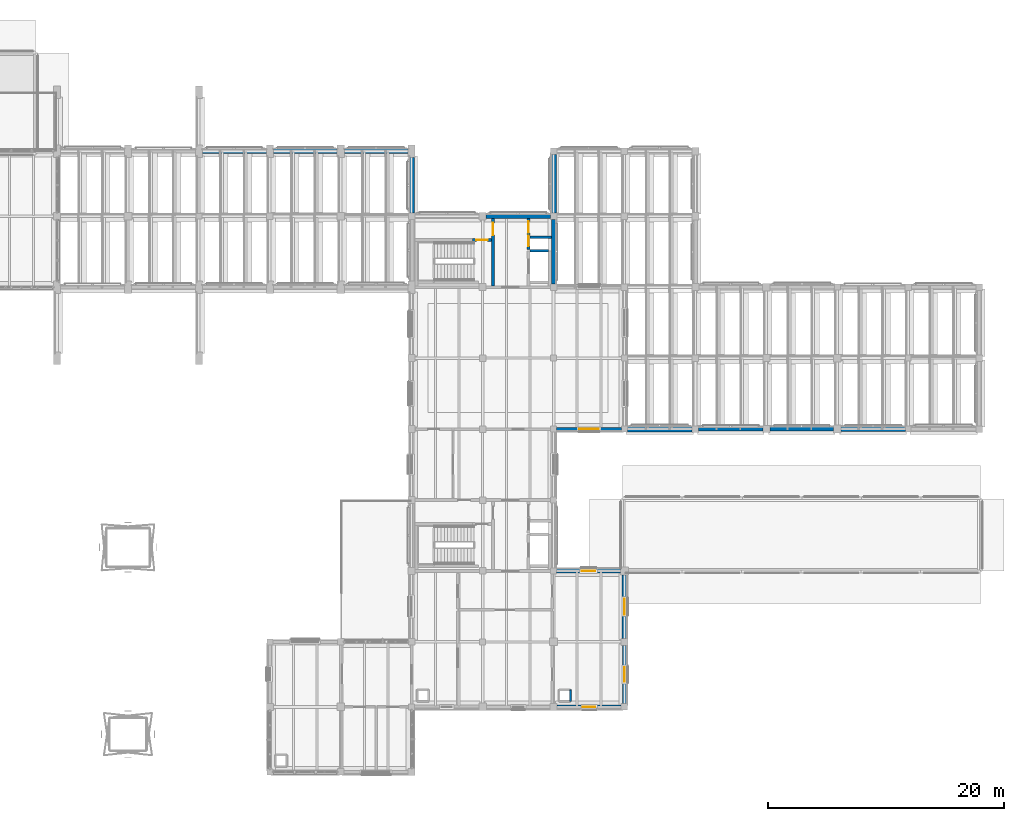
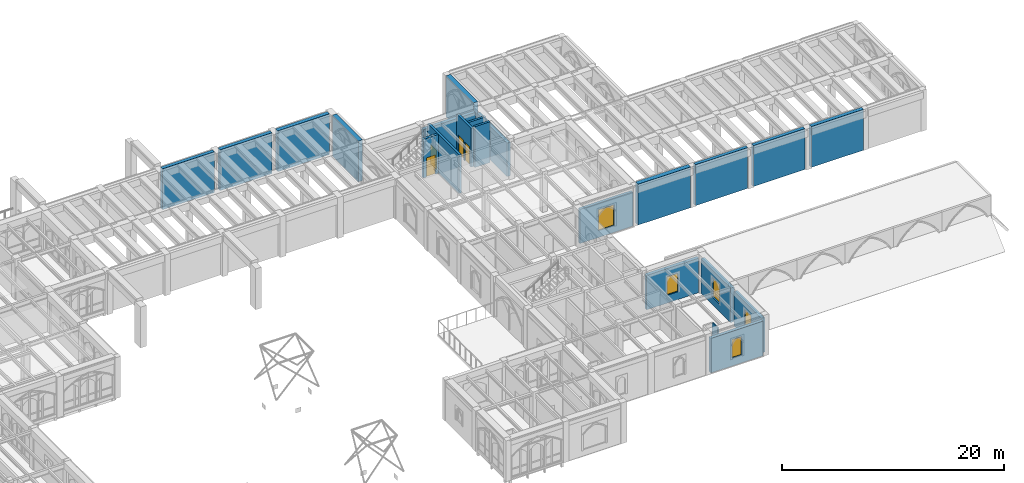
# One storey, part 83 of 127: 22 walls, 5 windows, 4 doors, 9 openings.
"""IFC4 building model written with IfcOpenShell, lengths in metres."""

from ifc_helpers import new_model, si_unit, direction, frame, frame_2d, origin, place, context, subcontext, project, spatial, rectangle, extrude, material, layer, layer_set, type_object, element, fill, save


model = new_model("IFC4")

# Units and contexts
model_context = context("Model", 3, precision=1e-05, world=origin(), true_north=direction((0.0, 1.0)))
body_context = subcontext(model_context, "Body", "Model", "MODEL_VIEW")
ifc_project = project(units=[si_unit("LENGTHUNIT", "METRE"), si_unit("AREAUNIT", "SQUARE_METRE"), si_unit("VOLUMEUNIT", "CUBIC_METRE"), si_unit("PLANEANGLEUNIT", "RADIAN"), si_unit("MASSUNIT", "GRAM", prefix="KILO")], contexts=[model_context])

# Site, building, storey
site_placement = place(None, origin())
site = spatial("IfcSite", under=ifc_project, at=site_placement, CompositionType="ELEMENT")
building_placement = place(site_placement, origin())
building = spatial("IfcBuilding", under=site, at=building_placement, Name="Cumevento Cable Car Station", CompositionType="ELEMENT")
storey_placement = place(building_placement, frame((0.0, 0.0, 4.5)))
storey = spatial("IfcBuildingStorey", under=building, at=storey_placement, Name="L02", CompositionType="ELEMENT", Elevation=4.5)

# Wall, opening, window
ifc_material_1 = material(Name="Gnaisse Facoidal Stone Ashlar 85 MPa", Category="masonry")
ifc_layer_1 = layer(ifc_material_1, 0.264892578125)
ifc_layer_set_1 = layer_set([ifc_layer_1], Name="Gnaisse Facoidal Stone Ashlar 85 MPa")
wall_type_1 = type_object("IfcWallType", Name="Exterior Envelope Wall EW-265 265", PredefinedType="SOLIDWALL", material=ifc_layer_set_1)
wall_1_placement = place(storey_placement, frame((135.75, 33.0, 0.0), z_axis=(0.0, 0.0, 1.0), x_axis=(-1.0, 0.0, 0.0)))
wall_1 = element("IfcWall", 1, at=wall_1_placement, inside=storey, type_object=wall_type_1, Name="Exterior Wall EW-265 L02 #169", PredefinedType="SOLIDWALL", context=body_context, shape_type="SweptSolid", body=[
    extrude(rectangle(XDim=5.5, YDim=0.264892578125, at=frame_2d((2.75, 0.0))), origin(), (0.0, 0.0, 1.0), 3.778076171875),
])
opening_1_placement = place(wall_1_placement, frame((1.925048828125, 0.0, 0.75)))
opening_1 = element("IfcOpeningElement", 2, at=opening_1_placement, cuts=wall_1, Name="Opening WN-L02-057", PredefinedType="OPENING", context=body_context, shape_type="SweptSolid", body=[
    extrude(rectangle(XDim=1.64990234375, YDim=2.300048828125, at=frame_2d((0.824951171875, 1.14990234375))), frame((0.0, 0.142333984375, 0.0), z_axis=(0.0, -1.0, 0.0), x_axis=(1.0, 0.0, 0.0)), (0.0, 0.0, 1.0), 0.284912109375),
])
ifc_material_2 = material(Name="Anodised Bronze Aluminium & Laminated Solar Glass", Category="aluminium")
window_type_1 = type_object("IfcWindowType", Name="Lancet Window WN-09 1650x2300", PartitioningType="DOUBLE_PANEL_VERTICAL", PredefinedType="WINDOW", material=ifc_material_2)
window_1_placement = place(opening_1_placement, origin())
window_1 = element("IfcWindow", 3, at=window_1_placement, inside=storey, type_object=window_type_1, Name="Lancet Window WN-L02-057 (WN-09)", OverallHeight=2.300048828125, OverallWidth=1.64990234375, PartitioningType="SINGLE_PANEL", PredefinedType="WINDOW", context=body_context, shape_type="SweptSolid", body=[
    extrude(rectangle(XDim=1.64990234375, YDim=2.300048828125, at=frame_2d((0.824951171875, 1.14990234375))), frame((0.0, 0.030029296875, 0.0), z_axis=(0.0, -1.0, 0.0), x_axis=(1.0, 0.0, 0.0)), (0.0, 0.0, 1.0), 0.06005859375),
])
fill(opening_1, window_1)

ifc_material_3 = material(Name="Gnaisse Facoidal Stone Ashlar 85 MPa", Category="masonry")
ifc_layer_2 = layer(ifc_material_3, 0.324951171875)
ifc_layer_set_2 = layer_set([ifc_layer_2], Name="Gnaisse Facoidal Stone Ashlar 85 MPa")
wall_type_2 = type_object("IfcWallType", Name="Exterior Envelope Wall EW-325 325", PredefinedType="SOLIDWALL", material=ifc_layer_set_2)
wall_2_placement = place(storey_placement, frame((135.72509765625, 9.5, 0.0), z_axis=(0.0, 0.0, 1.0), x_axis=(-1.0, 0.0, 0.0)))
wall_2 = element("IfcWall", 4, at=wall_2_placement, inside=storey, type_object=wall_type_2, Name="Exterior Wall EW-325 L02 #160", PredefinedType="SOLIDWALL", context=body_context, shape_type="SweptSolid", body=[
    extrude(rectangle(XDim=5.425048828125, YDim=0.324951171875, at=frame_2d((2.71240234375, 0.0))), origin(), (0.0, 0.0, 1.0), 3.80908203125),
])
opening_2_placement = place(wall_2_placement, frame((2.1875, 0.0, 0.85009765625)))
opening_2 = element("IfcOpeningElement", 5, at=opening_2_placement, cuts=wall_2, Name="Opening WN-L02-051", PredefinedType="OPENING", context=body_context, shape_type="SweptSolid", body=[
    extrude(rectangle(XDim=1.050048828125, YDim=2.050048828125, at=frame_2d((0.52490234375, 1.02490234375))), frame((0.0, 0.172607421875, 0.0), z_axis=(0.0, -1.0, 0.0), x_axis=(1.0, 0.0, 0.0)), (0.0, 0.0, 1.0), 0.344970703125),
])
ifc_material_4 = material(Name="Anodised Bronze Aluminium & Laminated Solar Glass", Category="aluminium")
window_type_2 = type_object("IfcWindowType", Name="Lancet Window WN-03 1050x2050", PartitioningType="SINGLE_PANEL", PredefinedType="WINDOW", material=ifc_material_4)
window_2_placement = place(opening_2_placement, origin())
window_2 = element("IfcWindow", 6, at=window_2_placement, inside=storey, type_object=window_type_2, Name="Lancet Window WN-L02-051 (WN-03)", OverallHeight=2.050048828125, OverallWidth=1.050048828125, PartitioningType="SINGLE_PANEL", PredefinedType="WINDOW", context=body_context, shape_type="SweptSolid", body=[
    extrude(rectangle(XDim=1.050048828125, YDim=2.050048828125, at=frame_2d((0.52490234375, 1.02490234375))), frame((0.0, 0.030029296875, 0.0), z_axis=(0.0, -1.0, 0.0), x_axis=(1.0, 0.0, 0.0)), (0.0, 0.0, 1.0), 0.06005859375),
])
fill(opening_2, window_2)

ifc_material_5 = material(Name="Concrete C40/50", Category="concrete")
ifc_layer_3 = layer(ifc_material_5, 0.340087890625)
ifc_layer_set_3 = layer_set([ifc_layer_3], Name="Concrete C40/50")
wall_type_3 = type_object("IfcWallType", Name="Exterior Envelope Wall EW-340 340", PredefinedType="SOLIDWALL", material=ifc_layer_set_3)
wall_3_placement = place(storey_placement, frame((130.25, 21.0, 0.0), z_axis=(0.0, 0.0, 1.0), x_axis=(1.0, 0.0, 0.0)))
wall_3 = element("IfcWall", 7, at=wall_3_placement, inside=storey, type_object=wall_type_3, Name="Exterior Wall EW-340 L02 #161", PredefinedType="SOLIDWALL", context=body_context, shape_type="SweptSolid", body=[
    extrude(rectangle(XDim=5.425048828125, YDim=0.340087890625, at=frame_2d((2.71240234375, 0.0))), origin(), (0.0, 0.0, 1.0), 3.797119140625),
])
opening_3_placement = place(wall_3_placement, frame((2.137451171875, 0.0, 0.85009765625)))
opening_3 = element("IfcOpeningElement", 8, at=opening_3_placement, cuts=wall_3, Name="Opening WN-L02-052", PredefinedType="OPENING", context=body_context, shape_type="SweptSolid", body=[
    extrude(rectangle(XDim=1.14990234375, YDim=2.050048828125, at=frame_2d((0.574951171875, 1.02490234375))), frame((0.0, 0.179931640625, 0.0), z_axis=(0.0, -1.0, 0.0), x_axis=(1.0, 0.0, 0.0)), (0.0, 0.0, 1.0), 0.360107421875),
])
ifc_material_6 = material(Name="Anodised Bronze Aluminium & Laminated Solar Glass", Category="aluminium")
window_type_3 = type_object("IfcWindowType", Name="Lancet Window WN-04 1150x2050", PartitioningType="SINGLE_PANEL", PredefinedType="WINDOW", material=ifc_material_6)
window_3_placement = place(opening_3_placement, origin())
window_3 = element("IfcWindow", 9, at=window_3_placement, inside=storey, type_object=window_type_3, Name="Lancet Window WN-L02-052 (WN-04)", OverallHeight=2.050048828125, OverallWidth=1.14990234375, PartitioningType="SINGLE_PANEL", PredefinedType="WINDOW", context=body_context, shape_type="SweptSolid", body=[
    extrude(rectangle(XDim=1.14990234375, YDim=2.050048828125, at=frame_2d((0.574951171875, 1.02490234375))), frame((0.0, 0.030029296875, 0.0), z_axis=(0.0, -1.0, 0.0), x_axis=(1.0, 0.0, 0.0)), (0.0, 0.0, 1.0), 0.06005859375),
])
fill(opening_3, window_3)

ifc_material_7 = material(Name="Concrete C40/50", Category="concrete")
ifc_layer_4 = layer(ifc_material_7, 0.35498046875)
ifc_layer_set_4 = layer_set([ifc_layer_4], Name="Concrete C40/50")
wall_type_4 = type_object("IfcWallType", Name="Exterior Envelope Wall EW-355 355", PredefinedType="SOLIDWALL", material=ifc_layer_set_4)
wall_4_placement = place(storey_placement, frame((136.0, 14.699951171875, 0.0), z_axis=(0.0, 0.0, 1.0), x_axis=(0.0, -1.0, 0.0)))
wall_4 = element("IfcWall", 10, at=wall_4_placement, inside=storey, type_object=wall_type_4, Name="Exterior Wall EW-355 L02 #162", PredefinedType="SOLIDWALL", context=body_context, shape_type="SweptSolid", body=[
    extrude(rectangle(XDim=4.925048828125, YDim=0.35498046875, at=frame_2d((2.46240234375, 0.0))), origin(), (0.0, 0.0, 1.0), 3.80908203125),
])
opening_4_placement = place(wall_4_placement, frame((1.83740234375, 0.0, 0.800048828125)))
opening_4 = element("IfcOpeningElement", 11, at=opening_4_placement, cuts=wall_4, Name="Opening WN-L02-053", PredefinedType="OPENING", context=body_context, shape_type="SweptSolid", body=[
    extrude(rectangle(XDim=1.25, YDim=2.14990234375, at=frame_2d((0.625, 1.074951171875))), frame((0.0, 0.1875, 0.0), z_axis=(0.0, -1.0, 0.0), x_axis=(1.0, 0.0, 0.0)), (0.0, 0.0, 1.0), 0.375),
])
ifc_material_8 = material(Name="Anodised Bronze Aluminium & Laminated Solar Glass", Category="aluminium")
window_type_4 = type_object("IfcWindowType", Name="Lancet Window WN-05 1250x2150", PartitioningType="SINGLE_PANEL", PredefinedType="WINDOW", material=ifc_material_8)
window_4_placement = place(opening_4_placement, origin())
window_4 = element("IfcWindow", 12, at=window_4_placement, inside=storey, type_object=window_type_4, Name="Lancet Window WN-L02-053 (WN-05)", OverallHeight=2.14990234375, OverallWidth=1.25, PartitioningType="SINGLE_PANEL", PredefinedType="WINDOW", context=body_context, shape_type="SweptSolid", body=[
    extrude(rectangle(XDim=1.25, YDim=2.14990234375, at=frame_2d((0.625, 1.074951171875))), frame((0.0, 0.030029296875, 0.0), z_axis=(0.0, -1.0, 0.0), x_axis=(1.0, 0.0, 0.0)), (0.0, 0.0, 1.0), 0.06005859375),
])
fill(opening_4, window_4)

# Walls
wall_5_placement = place(storey_placement, frame((124.300048828125, 51.0, 0.0), z_axis=(0.0, 0.0, 1.0), x_axis=(1.0, 0.0, 0.0)))
element("IfcWall", 13, at=wall_5_placement, inside=storey, type_object=wall_type_4, Name="Exterior Wall EW-355 L02 #176", PredefinedType="SOLIDWALL", context=body_context, shape_type="SweptSolid", body=[
    extrude(rectangle(XDim=5.425048828125, YDim=0.35498046875, at=frame_2d((2.71240234375, 0.0))), origin(), (0.0, 0.0, 1.0), 3.742919921875),
])
wall_6_placement = place(storey_placement, frame((130.0, 50.72509765625, 0.0), z_axis=(0.0, 0.0, 1.0), x_axis=(0.0, -1.0, 0.0)))
element("IfcWall", 14, at=wall_6_placement, inside=storey, type_object=wall_type_4, Name="Exterior Wall EW-355 L02 #178", PredefinedType="SOLIDWALL", context=body_context, shape_type="SweptSolid", body=[
    extrude(rectangle(XDim=5.4501953125, YDim=0.35498046875, at=frame_2d((2.72509765625, 0.0))), origin(), (0.0, 0.0, 1.0), 3.693115234375),
])

# Wall, opening, window
ifc_material_9 = material(Name="Gnaisse Facoidal Stone Ashlar 85 MPa", Category="masonry")
ifc_layer_5 = layer(ifc_material_9, 0.385009765625)
ifc_layer_set_5 = layer_set([ifc_layer_5], Name="Gnaisse Facoidal Stone Ashlar 85 MPa")
wall_type_5 = type_object("IfcWallType", Name="Exterior Envelope Wall EW-385 385", PredefinedType="SOLIDWALL", material=ifc_layer_set_5)
wall_7_placement = place(storey_placement, frame((136.0, 20.675048828125, 0.0), z_axis=(0.0, 0.0, 1.0), x_axis=(0.0, -1.0, 0.0)))
wall_7 = element("IfcWall", 15, at=wall_7_placement, inside=storey, type_object=wall_type_5, Name="Exterior Wall EW-385 L02 #164", PredefinedType="SOLIDWALL", context=body_context, shape_type="SweptSolid", body=[
    extrude(rectangle(XDim=5.375, YDim=0.385009765625, at=frame_2d((2.6875, 0.0))), origin(), (0.0, 0.0, 1.0), 3.80908203125),
])
opening_5_placement = place(wall_7_placement, frame((2.012451171875, 0.0, 0.800048828125)))
opening_5 = element("IfcOpeningElement", 16, at=opening_5_placement, cuts=wall_7, Name="Opening WN-L02-054", PredefinedType="OPENING", context=body_context, shape_type="SweptSolid", body=[
    extrude(rectangle(XDim=1.35009765625, YDim=2.14990234375, at=frame_2d((0.675048828125, 1.074951171875))), frame((0.0, 0.202392578125, 0.0), z_axis=(0.0, -1.0, 0.0), x_axis=(1.0, 0.0, 0.0)), (0.0, 0.0, 1.0), 0.405029296875),
])
ifc_material_10 = material(Name="Anodised Bronze Aluminium & Laminated Solar Glass", Category="aluminium")
window_type_5 = type_object("IfcWindowType", Name="Lancet Window WN-06 1350x2150", PartitioningType="SINGLE_PANEL", PredefinedType="WINDOW", material=ifc_material_10)
window_5_placement = place(opening_5_placement, origin())
window_5 = element("IfcWindow", 17, at=window_5_placement, inside=storey, type_object=window_type_5, Name="Lancet Window WN-L02-054 (WN-06)", OverallHeight=2.14990234375, OverallWidth=1.35009765625, PartitioningType="SINGLE_PANEL", PredefinedType="WINDOW", context=body_context, shape_type="SweptSolid", body=[
    extrude(rectangle(XDim=1.35009765625, YDim=2.14990234375, at=frame_2d((0.675048828125, 1.074951171875))), frame((0.0, 0.030029296875, 0.0), z_axis=(0.0, -1.0, 0.0), x_axis=(1.0, 0.0, 0.0)), (0.0, 0.0, 1.0), 0.06005859375),
])
fill(opening_5, window_5)

# Walls
ifc_material_11 = material(Name="Gypsum Board & Insulated Stud Partition", Category="gypsum")
ifc_layer_6 = layer(ifc_material_11, 0.14501953125)
ifc_layer_set_6 = layer_set([ifc_layer_6], Name="Gypsum Board & Insulated Stud Partition")
wall_type_6 = type_object("IfcWallType", Name="Interior Partition PT-145 145", PredefinedType="PARTITIONING", material=ifc_layer_set_6)
wall_8_placement = place(storey_placement, frame((131.429931640625, 9.969970703125, 0.0), z_axis=(0.0, 0.0, 1.0), x_axis=(0.0, 1.0, 0.0)))
element("IfcWall", 18, at=wall_8_placement, inside=storey, type_object=wall_type_6, Name="Interior Wall PT-145 L02 #86", PredefinedType="PARTITIONING", context=body_context, shape_type="SweptSolid", body=[
    extrude(rectangle(XDim=0.9599609375, YDim=0.14501953125, at=frame_2d((0.47998046875, 0.0))), origin(), (0.0, 0.0, 1.0), 4.216064453125),
])
ifc_material_12 = material(Name="Concrete C40/50", Category="concrete")
ifc_layer_7 = layer(ifc_material_12, 0.22998046875)
ifc_layer_set_7 = layer_set([ifc_layer_7], Name="Concrete C40/50")
wall_type_7 = type_object("IfcWallType", Name="Interior Shear Wall CW-230 230", PredefinedType="SHEAR", material=ifc_layer_set_7)
wall_9_placement = place(storey_placement, frame((128.0048828125, 48.080078125, 0.0), z_axis=(0.0, 0.0, 1.0), x_axis=(1.0, 0.0, 0.0)))
element("IfcWall", 19, at=wall_9_placement, inside=storey, type_object=wall_type_7, Name="Interior Wall CW-230 L02 #491", PredefinedType="SHEAR", context=body_context, shape_type="SweptSolid", body=[
    extrude(rectangle(XDim=1.580078125, YDim=0.22998046875, at=frame_2d((0.7900390625, 0.0))), origin(), (0.0, 0.0, 1.0), 4.5),
])
wall_10_placement = place(storey_placement, frame((128.0048828125, 49.219970703125, 0.0), z_axis=(0.0, 0.0, 1.0), x_axis=(1.0, 0.0, 0.0)))
element("IfcWall", 20, at=wall_10_placement, inside=storey, type_object=wall_type_7, Name="Interior Wall CW-230 L02 #493", PredefinedType="SHEAR", context=body_context, shape_type="SweptSolid", body=[
    extrude(rectangle(XDim=1.820068359375, YDim=0.22998046875, at=frame_2d((0.91015625, 0.0))), origin(), (0.0, 0.0, 1.0), 4.27587890625),
])

# Wall, opening, door
ifc_material_13 = material(Name="Concrete C40/50", Category="concrete")
ifc_layer_8 = layer(ifc_material_13, 0.25)
ifc_layer_set_8 = layer_set([ifc_layer_8], Name="Concrete C40/50")
wall_type_8 = type_object("IfcWallType", Name="Interior Shear Wall CW-250 250", PredefinedType="SHEAR", material=ifc_layer_set_8)
wall_11_placement = place(storey_placement, frame((123.159912109375, 48.97509765625, 0.0), z_axis=(0.0, 0.0, 1.0), x_axis=(1.0, 0.0, 0.0)))
wall_11 = element("IfcWall", 21, at=wall_11_placement, inside=storey, type_object=wall_type_8, Name="Interior Wall CW-250 L02 #486", PredefinedType="SHEAR", context=body_context, shape_type="SweptSolid", body=[
    extrude(rectangle(XDim=1.580078125, YDim=0.25, at=frame_2d((0.7900390625, 0.0))), origin(), (0.0, 0.0, 1.0), 4.27587890625),
])
opening_6_placement = place(wall_11_placement, frame((0.31005859375, 0.0, 0.0)))
opening_6 = element("IfcOpeningElement", 22, at=opening_6_placement, cuts=wall_11, Name="Opening DR-L02-159", PredefinedType="OPENING", context=body_context, shape_type="SweptSolid", body=[
    extrude(rectangle(XDim=0.9599609375, YDim=2.1201171875, at=frame_2d((0.47998046875, 1.06005859375))), frame((0.0, 0.135009765625, 0.0), z_axis=(0.0, -1.0, 0.0), x_axis=(1.0, 0.0, 0.0)), (0.0, 0.0, 1.0), 0.27001953125),
])
ifc_material_14 = material(Name="Galvanised Painted Steel Fire Door", Category="steel")
door_type_1 = type_object("IfcDoorType", Name="Interior Door FD-01 960x2120", OperationType="NOTDEFINED", PredefinedType="DOOR", material=ifc_material_14)
door_1_placement = place(opening_6_placement, origin())
door_1 = element("IfcDoor", 23, at=door_1_placement, inside=storey, type_object=door_type_1, Name="Stair ST-06 Enclosure Door L02", OperationType="SINGLE_SWING_LEFT", OverallHeight=2.1201171875, OverallWidth=0.9599609375, PredefinedType="DOOR", context=body_context, shape_type="SweptSolid", body=[
    extrude(rectangle(XDim=0.9599609375, YDim=2.1201171875, at=frame_2d((0.47998046875, 1.06005859375))), frame((0.0, 0.02490234375, 0.0), z_axis=(0.0, -1.0, 0.0), x_axis=(1.0, 0.0, 0.0)), (0.0, 0.0, 1.0), 0.050048828125),
])
fill(opening_6, door_1)

wall_12_placement = place(storey_placement, frame((124.864990234375, 45.114990234375, 0.0), z_axis=(0.0, 0.0, 1.0), x_axis=(0.0, 1.0, 0.0)))
wall_12 = element("IfcWall", 24, at=wall_12_placement, inside=storey, type_object=wall_type_8, Name="Interior Wall CW-250 L02 #487", PredefinedType="SHEAR", context=body_context, shape_type="SweptSolid", body=[
    extrude(rectangle(XDim=5.7099609375, YDim=0.25, at=frame_2d((2.85498046875, 0.0))), origin(), (0.0, 0.0, 1.0), 4.27587890625),
])
opening_7_placement = place(wall_12_placement, frame((4.284912109375, 0.0, 0.0)))
opening_7 = element("IfcOpeningElement", 25, at=opening_7_placement, cuts=wall_12, Name="Opening DR-L02-160", PredefinedType="OPENING", context=body_context, shape_type="SweptSolid", body=[
    extrude(rectangle(XDim=1.0400390625, YDim=2.139892578125, at=frame_2d((0.52001953125, 1.06982421875))), frame((0.0, 0.135009765625, 0.0), z_axis=(0.0, -1.0, 0.0), x_axis=(1.0, 0.0, 0.0)), (0.0, 0.0, 1.0), 0.27001953125),
])
ifc_material_15 = material(Name="Galvanised Painted Steel Fire Door", Category="steel")
door_type_2 = type_object("IfcDoorType", Name="Interior Door FD-02 1040x2140", OperationType="NOTDEFINED", PredefinedType="DOOR", material=ifc_material_15)
door_2_placement = place(opening_7_placement, origin())
door_2 = element("IfcDoor", 26, at=door_2_placement, inside=storey, type_object=door_type_2, Name="Lobby Vestibule Door CORE6 L02", OperationType="SINGLE_SWING_RIGHT", OverallHeight=2.139892578125, OverallWidth=1.0400390625, PredefinedType="DOOR", context=body_context, shape_type="SweptSolid", body=[
    extrude(rectangle(XDim=1.0400390625, YDim=2.139892578125, at=frame_2d((0.52001953125, 1.06982421875))), frame((0.0, 0.02490234375, 0.0), z_axis=(0.0, -1.0, 0.0), x_axis=(1.0, 0.0, 0.0)), (0.0, 0.0, 1.0), 0.050048828125),
])
fill(opening_7, door_2)

# Wall, openings, doors
wall_13_placement = place(storey_placement, frame((127.8798828125, 48.199951171875, 0.0), z_axis=(0.0, 0.0, 1.0), x_axis=(0.0, 1.0, 0.0)))
wall_13 = element("IfcWall", 27, at=wall_13_placement, inside=storey, type_object=wall_type_8, Name="Interior Wall CW-250 L02 #492", PredefinedType="SHEAR", context=body_context, shape_type="SweptSolid", body=[
    extrude(rectangle(XDim=2.625, YDim=0.25, at=frame_2d((1.3125, 0.0))), origin(), (0.0, 0.0, 1.0), 4.27587890625),
])
opening_8_placement = place(wall_13_placement, frame((0.280029296875, 0.0, 0.0)))
opening_8 = element("IfcOpeningElement", 28, at=opening_8_placement, cuts=wall_13, Name="Opening DR-L02-162", PredefinedType="OPENING", context=body_context, shape_type="SweptSolid", body=[
    extrude(rectangle(XDim=0.8798828125, YDim=2.080078125, at=frame_2d((0.43994140625, 1.0400390625))), frame((0.0, 0.135009765625, 0.0), z_axis=(0.0, -1.0, 0.0), x_axis=(1.0, 0.0, 0.0)), (0.0, 0.0, 1.0), 0.27001953125),
])
opening_9_placement = place(wall_13_placement, frame((1.39990234375, 0.0, 0.0)))
opening_9 = element("IfcOpeningElement", 29, at=opening_9_placement, cuts=wall_13, Name="Opening DR-L02-163", PredefinedType="OPENING", context=body_context, shape_type="SweptSolid", body=[
    extrude(rectangle(XDim=0.9599609375, YDim=2.1201171875, at=frame_2d((0.47998046875, 1.06005859375))), frame((0.0, 0.135009765625, 0.0), z_axis=(0.0, -1.0, 0.0), x_axis=(1.0, 0.0, 0.0)), (0.0, 0.0, 1.0), 0.27001953125),
])
door_3_placement = place(opening_9_placement, origin())
door_3 = element("IfcDoor", 30, at=door_3_placement, inside=storey, type_object=door_type_1, Name="East Vestibule Lobby Door CORE6 L02", OperationType="SINGLE_SWING_RIGHT", OverallHeight=2.1201171875, OverallWidth=0.9599609375, PredefinedType="DOOR", context=body_context, shape_type="SweptSolid", body=[
    extrude(rectangle(XDim=0.9599609375, YDim=2.1201171875, at=frame_2d((0.47998046875, 1.06005859375))), frame((0.0, 0.02490234375, 0.0), z_axis=(0.0, -1.0, 0.0), x_axis=(1.0, 0.0, 0.0)), (0.0, 0.0, 1.0), 0.050048828125),
])
fill(opening_9, door_3)
ifc_material_16 = material(Name="Galvanised Painted Steel Fire Door", Category="steel")
door_type_3 = type_object("IfcDoorType", Name="Interior Door FD-07 880x2080", OperationType="NOTDEFINED", PredefinedType="DOOR", material=ifc_material_16)
door_4_placement = place(opening_8_placement, origin())
door_4 = element("IfcDoor", 31, at=door_4_placement, inside=storey, type_object=door_type_3, Name="MEP Riser Access Door CORE6 L02", OperationType="SINGLE_SWING_LEFT", OverallHeight=2.080078125, OverallWidth=0.8798828125, PredefinedType="DOOR", context=body_context, shape_type="SweptSolid", body=[
    extrude(rectangle(XDim=0.8798828125, YDim=2.080078125, at=frame_2d((0.43994140625, 1.0400390625))), frame((0.0, 0.02490234375, 0.0), z_axis=(0.0, -1.0, 0.0), x_axis=(1.0, 0.0, 0.0)), (0.0, 0.0, 1.0), 0.050048828125),
])
fill(opening_8, door_4)

# Walls
ifc_material_17 = material(Name="Concrete C40/50", Category="concrete")
ifc_layer_9 = layer(ifc_material_17, 0.340087890625)
ifc_layer_set_9 = layer_set([ifc_layer_9], Name="Concrete C40/50")
wall_type_9 = type_object("IfcWallType", Name="Retaining Wall RW-340 340", PredefinedType="USERDEFINED", material=ifc_layer_set_9)
wall_14_placement = place(storey_placement, frame((142.27490234375, 33.0, 0.0), z_axis=(0.0, 0.0, 1.0), x_axis=(1.0, 0.0, 0.0)))
element("IfcWall", 32, at=wall_14_placement, inside=storey, type_object=wall_type_9, Name="Retaining Wall RW-340 L02 #90", ObjectType="RETAININGWALL", PredefinedType="USERDEFINED", context=body_context, shape_type="SweptSolid", body=[
    extrude(rectangle(XDim=5.425048828125, YDim=0.340087890625, at=frame_2d((2.71240234375, 0.0))), origin(), (0.0, 0.0, 1.0), 4.5),
])
ifc_material_18 = material(Name="Concrete C40/50", Category="concrete")
ifc_layer_10 = layer(ifc_material_18, 0.360107421875)
ifc_layer_set_10 = layer_set([ifc_layer_10], Name="Concrete C40/50")
wall_type_10 = type_object("IfcWallType", Name="Retaining Wall RW-360 360", PredefinedType="USERDEFINED", material=ifc_layer_set_10)
wall_15_placement = place(storey_placement, frame((100.300048828125, 56.5, 0.0), z_axis=(0.0, 0.0, 1.0), x_axis=(1.0, 0.0, 0.0)))
element("IfcWall", 33, at=wall_15_placement, inside=storey, type_object=wall_type_10, Name="Retaining Wall RW-360 L02 #55", ObjectType="RETAININGWALL", PredefinedType="USERDEFINED", context=body_context, shape_type="SweptSolid", body=[
    extrude(rectangle(XDim=5.39990234375, YDim=0.360107421875, at=frame_2d((2.699951171875, 0.0))), origin(), (0.0, 0.0, 1.0), 4.5),
])
wall_16_placement = place(storey_placement, frame((148.300048828125, 33.0, 0.0), z_axis=(0.0, 0.0, 1.0), x_axis=(1.0, 0.0, 0.0)))
element("IfcWall", 34, at=wall_16_placement, inside=storey, type_object=wall_type_10, Name="Retaining Wall RW-360 L02 #91", ObjectType="RETAININGWALL", PredefinedType="USERDEFINED", context=body_context, shape_type="SweptSolid", body=[
    extrude(rectangle(XDim=5.375, YDim=0.360107421875, at=frame_2d((2.6875, 0.0))), origin(), (0.0, 0.0, 1.0), 4.5),
])
ifc_material_19 = material(Name="Concrete C40/50", Category="concrete")
ifc_layer_11 = layer(ifc_material_19, 0.385009765625)
ifc_layer_set_11 = layer_set([ifc_layer_11], Name="Concrete C40/50")
wall_type_11 = type_object("IfcWallType", Name="Retaining Wall RW-385 385", PredefinedType="USERDEFINED", material=ifc_layer_set_11)
wall_17_placement = place(storey_placement, frame((106.300048828125, 56.5, 0.0), z_axis=(0.0, 0.0, 1.0), x_axis=(1.0, 0.0, 0.0)))
element("IfcWall", 35, at=wall_17_placement, inside=storey, type_object=wall_type_11, Name="Retaining Wall RW-385 L02 #56", ObjectType="RETAININGWALL", PredefinedType="USERDEFINED", context=body_context, shape_type="SweptSolid", body=[
    extrude(rectangle(XDim=5.39990234375, YDim=0.385009765625, at=frame_2d((2.699951171875, 0.0))), origin(), (0.0, 0.0, 1.0), 4.5),
])
wall_18_placement = place(storey_placement, frame((154.324951171875, 33.0, 0.0), z_axis=(0.0, 0.0, 1.0), x_axis=(1.0, 0.0, 0.0)))
element("IfcWall", 36, at=wall_18_placement, inside=storey, type_object=wall_type_11, Name="Retaining Wall RW-385 L02 #92", ObjectType="RETAININGWALL", PredefinedType="USERDEFINED", context=body_context, shape_type="SweptSolid", body=[
    extrude(rectangle(XDim=5.425048828125, YDim=0.385009765625, at=frame_2d((2.71240234375, 0.0))), origin(), (0.0, 0.0, 1.0), 4.5),
])
ifc_material_20 = material(Name="Concrete C40/50", Category="concrete")
ifc_layer_12 = layer(ifc_material_20, 0.409912109375)
ifc_layer_set_12 = layer_set([ifc_layer_12], Name="Concrete C40/50")
wall_type_12 = type_object("IfcWallType", Name="Retaining Wall RW-410 410", PredefinedType="USERDEFINED", material=ifc_layer_set_12)
wall_19_placement = place(storey_placement, frame((112.300048828125, 56.5, 0.0), z_axis=(0.0, 0.0, 1.0), x_axis=(1.0, 0.0, 0.0)))
element("IfcWall", 37, at=wall_19_placement, inside=storey, type_object=wall_type_12, Name="Retaining Wall RW-410 L02 #57", ObjectType="RETAININGWALL", PredefinedType="USERDEFINED", context=body_context, shape_type="SweptSolid", body=[
    extrude(rectangle(XDim=5.39990234375, YDim=0.409912109375, at=frame_2d((2.699951171875, 0.0))), origin(), (0.0, 0.0, 1.0), 4.5),
])
ifc_material_21 = material(Name="Concrete C40/50", Category="concrete")
ifc_layer_13 = layer(ifc_material_21, 0.43505859375)
ifc_layer_set_13 = layer_set([ifc_layer_13], Name="Concrete C40/50")
wall_type_13 = type_object("IfcWallType", Name="Retaining Wall RW-435 435", PredefinedType="USERDEFINED", material=ifc_layer_set_13)
wall_20_placement = place(storey_placement, frame((118.0, 51.27490234375, 0.0), z_axis=(0.0, 0.0, 1.0), x_axis=(0.0, 1.0, 0.0)))
element("IfcWall", 38, at=wall_20_placement, inside=storey, type_object=wall_type_13, Name="Retaining Wall RW-435 L02 #58", ObjectType="RETAININGWALL", PredefinedType="USERDEFINED", context=body_context, shape_type="SweptSolid", body=[
    extrude(rectangle(XDim=4.7001953125, YDim=0.43505859375, at=frame_2d((2.35009765625, 0.0))), origin(), (0.0, 0.0, 1.0), 4.5),
])
ifc_material_22 = material(Name="Concrete C40/50", Category="concrete")
ifc_layer_14 = layer(ifc_material_22, 0.4599609375)
ifc_layer_set_14 = layer_set([ifc_layer_14], Name="Concrete C40/50")
wall_type_14 = type_object("IfcWallType", Name="Retaining Wall RW-460 460", PredefinedType="USERDEFINED", material=ifc_layer_set_14)
wall_21_placement = place(storey_placement, frame((136.25, 33.0, 0.0), z_axis=(0.0, 0.0, 1.0), x_axis=(1.0, 0.0, 0.0)))
element("IfcWall", 39, at=wall_21_placement, inside=storey, type_object=wall_type_14, Name="Retaining Wall RW-460 L02 #89", ObjectType="RETAININGWALL", PredefinedType="USERDEFINED", context=body_context, shape_type="SweptSolid", body=[
    extrude(rectangle(XDim=5.47509765625, YDim=0.4599609375, at=frame_2d((2.737548828125, 0.0))), origin(), (0.0, 0.0, 1.0), 4.5),
])
wall_22_placement = place(storey_placement, frame((130.0, 51.27490234375, 0.0), z_axis=(0.0, 0.0, 1.0), x_axis=(0.0, 1.0, 0.0)))
element("IfcWall", 40, at=wall_22_placement, inside=storey, type_object=wall_type_14, Name="Retaining Wall RW-460 L02 #107", ObjectType="RETAININGWALL", PredefinedType="USERDEFINED", context=body_context, shape_type="SweptSolid", body=[
    extrude(rectangle(XDim=4.9501953125, YDim=0.4599609375, at=frame_2d((2.47509765625, 0.0))), origin(), (0.0, 0.0, 1.0), 4.5),
])

save(model, "model.ifc")
